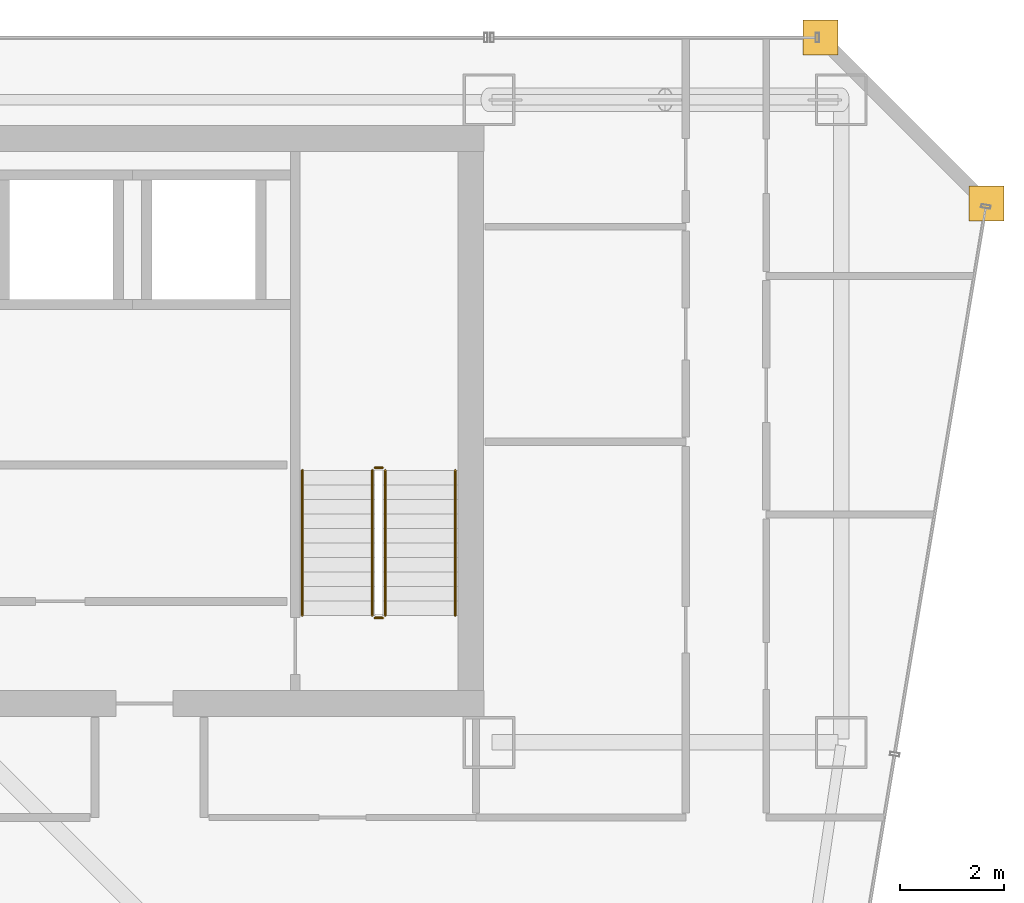
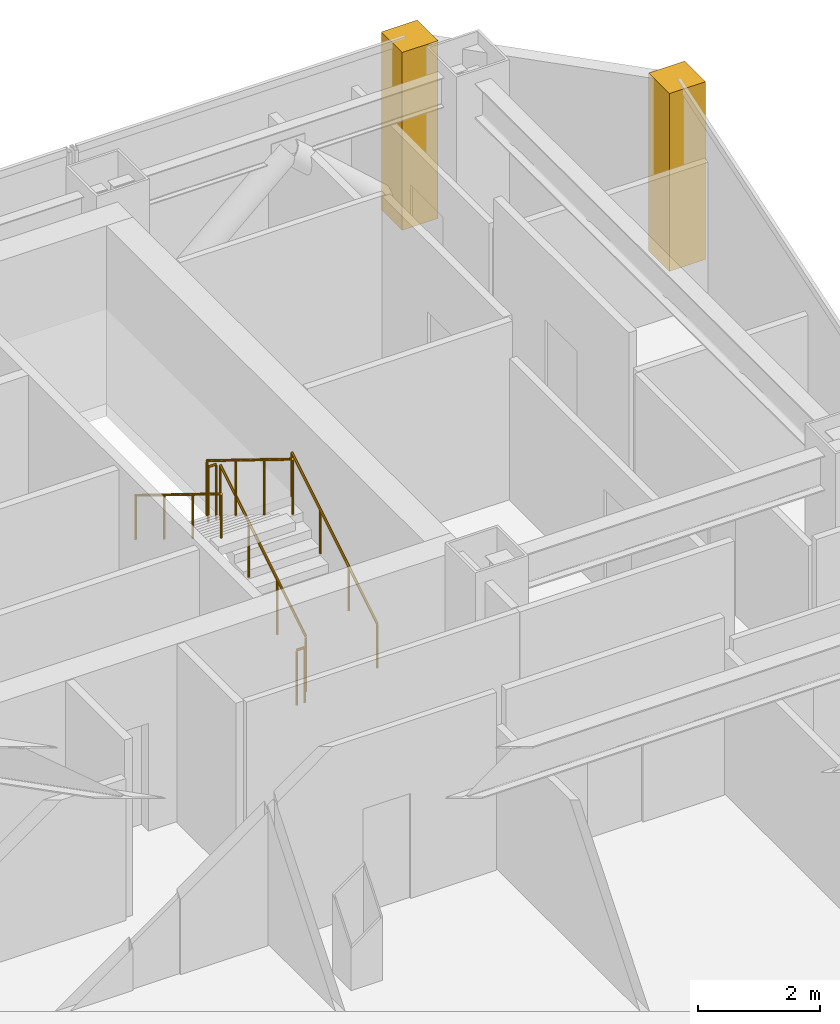
# One storey, part 36 of 36: 6 railings, 2 coverings.
"""IFC4 building model written with IfcOpenShell, lengths in metres."""

from ifc_helpers import new_model, si_unit, direction, frame, origin, origin_2d, place, context, subcontext, project, spatial, polyline, circle, outline, extrude, material, layer, layer_set, type_object, element, save


model = new_model("IFC4")

# Units and contexts
model_context = context("Model", 3, precision=1e-05, world=origin(), true_north=direction((0.0, 1.0)))
body_context = subcontext(model_context, "Body", "Model", "MODEL_VIEW")
ifc_project = project(units=[si_unit("LENGTHUNIT", "METRE"), si_unit("AREAUNIT", "SQUARE_METRE"), si_unit("VOLUMEUNIT", "CUBIC_METRE"), si_unit("PLANEANGLEUNIT", "RADIAN"), si_unit("MASSUNIT", "GRAM", prefix="KILO")], contexts=[model_context])

# Site, building, storey
site_placement = place(None, origin())
site = spatial("IfcSite", under=ifc_project, at=site_placement, CompositionType="ELEMENT")
building_placement = place(site_placement, origin())
building = spatial("IfcBuilding", under=site, at=building_placement, Name="Saevonmaru Cultural Tower", CompositionType="ELEMENT")
storey_placement = place(building_placement, frame((0.0, 0.0, 148.60009765625)))
storey = spatial("IfcBuildingStorey", under=building, at=storey_placement, Name="L32", CompositionType="ELEMENT", Elevation=148.60009765625)

# Coverings
ifc_material_1 = material(Name="Satin Bronze Anodised Aluminium", Category="aluminium")
ifc_layer = layer(ifc_material_1, 0.679931640625, Name="Satin Bronze Anodised Aluminium")
ifc_layer_set = layer_set([ifc_layer], Name="Satin Bronze Anodised Aluminium")
covering_type = type_object("IfcCoveringType", Name="CV-CORNER-CLAD", PredefinedType="CLADDING", material=ifc_layer_set)
covering_1_placement = place(storey_placement, origin())
element("IfcCovering", 1, at=covering_1_placement, inside=storey, type_object=covering_type, Name="L32 Tower Bronze Corner Cladding Pier 9", PredefinedType="CLADDING", context=body_context, shape_type="SweptSolid", body=[
    extrude(outline(polyline([(55.659912109375, 52.4599609375), (56.340087890625, 52.4599609375), (56.340087890625, 53.139892578125), (55.659912109375, 53.139892578125), (55.659912109375, 52.4599609375)])), origin(), (0.0, 0.0, 1.0), 3.5498046875),
])
covering_2_placement = place(storey_placement, origin())
element("IfcCovering", 2, at=covering_2_placement, inside=storey, type_object=covering_type, Name="L32 Tower Bronze Corner Cladding Pier 10", PredefinedType="CLADDING", context=body_context, shape_type="SweptSolid", body=[
    extrude(outline(polyline([(52.4599609375, 55.659912109375), (53.139892578125, 55.659912109375), (53.139892578125, 56.340087890625), (52.4599609375, 56.340087890625), (52.4599609375, 55.659912109375)])), origin(), (0.0, 0.0, 1.0), 3.5498046875),
])

# Railings
ifc_material_2 = material(Name="Architectural Painted Steel", Category="steel")
railing_type_1 = type_object("IfcRailingType", Name="RL-STAIR-GUARD", PredefinedType="GUARDRAIL", material=ifc_material_2)
railing_1_placement = place(storey_placement, frame((44.39990234375, 44.85009765625, 0.172607421875)))
element("IfcRailing", 3, at=railing_1_placement, inside=storey, type_object=railing_type_1, Name="L32 ST-2 stair guard 1", PredefinedType="GUARDRAIL", context=body_context, shape_type="SweptSolid", body=[
    extrude(circle(Radius=0.02392578125, at=origin_2d()), frame((0.0, 0.0, 1.09619140625), z_axis=(0.0, 0.851069175582, 0.525053576669), x_axis=(-1.0, 0.0, 0.0)), (0.0, 0.0, 1.0), 3.289794921875),
    extrude(circle(Radius=0.02099609375, at=origin_2d()), origin(), (0.0, 0.0, 1.0), 1.072021484375),
    extrude(circle(Radius=0.02099609375, at=origin_2d()), frame((0.0, 0.933349609375, 0.57568359375)), (0.0, 0.0, 1.0), 1.072021484375),
    extrude(circle(Radius=0.02099609375, at=origin_2d()), frame((0.0, 1.866455078125, 1.151611328125)), (0.0, 0.0, 1.0), 1.072021484375),
    extrude(circle(Radius=0.02099609375, at=origin_2d()), frame((0.0, 2.7998046875, 1.727294921875)), (0.0, 0.0, 1.0), 1.072021484375),
])
railing_2_placement = place(storey_placement, frame((44.35009765625, 47.699951171875, 1.89990234375)))
element("IfcRailing", 4, at=railing_2_placement, inside=storey, type_object=railing_type_1, Name="L32 ST-2 stair guard 2", PredefinedType="GUARDRAIL", context=body_context, shape_type="SweptSolid", body=[
    extrude(circle(Radius=0.02392578125, at=origin_2d()), frame((0.0, 0.0, 1.09619140625), z_axis=(-1.0, 0.0, 0.0), x_axis=(0.0, -1.0, 0.0)), (0.0, 0.0, 1.0), 0.150146484375),
    extrude(circle(Radius=0.02099609375, at=origin_2d()), origin(), (0.0, 0.0, 1.0), 1.072021484375),
    extrude(circle(Radius=0.02099609375, at=origin_2d()), frame((-0.150146484375, 0.0, 0.0)), (0.0, 0.0, 1.0), 1.072021484375),
])
railing_3_placement = place(storey_placement, frame((44.14990234375, 47.64990234375, 2.072509765625)))
element("IfcRailing", 5, at=railing_3_placement, inside=storey, type_object=railing_type_1, Name="L32 ST-2 stair guard 3", PredefinedType="GUARDRAIL", context=body_context, shape_type="SweptSolid", body=[
    extrude(circle(Radius=0.02392578125, at=origin_2d()), frame((0.0, 0.0, 1.09619140625), z_axis=(0.0, -0.851069175582, 0.525053576669), x_axis=(1.0, 0.0, 0.0)), (0.0, 0.0, 1.0), 3.289794921875),
    extrude(circle(Radius=0.02099609375, at=origin_2d()), origin(), (0.0, 0.0, 1.0), 1.072021484375),
    extrude(circle(Radius=0.02099609375, at=origin_2d()), frame((0.0, -0.933349609375, 0.57568359375)), (0.0, 0.0, 1.0), 1.072021484375),
    extrude(circle(Radius=0.02099609375, at=origin_2d()), frame((0.0, -1.866455078125, 1.151611328125)), (0.0, 0.0, 1.0), 1.072021484375),
    extrude(circle(Radius=0.02099609375, at=origin_2d()), frame((0.0, -2.7998046875, 1.727294921875)), (0.0, 0.0, 1.0), 1.072021484375),
])
railing_4_placement = place(storey_placement, frame((44.35009765625, 44.800048828125, 0.0)))
element("IfcRailing", 6, at=railing_4_placement, inside=storey, type_object=railing_type_1, Name="L32 ST-2 stair guard 4", PredefinedType="GUARDRAIL", context=body_context, shape_type="SweptSolid", body=[
    extrude(circle(Radius=0.02392578125, at=origin_2d()), frame((0.0, 0.0, 1.09619140625), z_axis=(-1.0, 0.0, 0.0), x_axis=(0.0, -1.0, 0.0)), (0.0, 0.0, 1.0), 0.150146484375),
    extrude(circle(Radius=0.02099609375, at=origin_2d()), origin(), (0.0, 0.0, 1.0), 1.072021484375),
    extrude(circle(Radius=0.02099609375, at=origin_2d()), frame((-0.150146484375, 0.0, 0.0)), (0.0, 0.0, 1.0), 1.072021484375),
])
railing_type_2 = type_object("IfcRailingType", Name="RL-STAIR-HANDRAIL", PredefinedType="HANDRAIL", material=ifc_material_1)
railing_5_placement = place(storey_placement, frame((45.75, 44.85009765625, 0.172607421875)))
element("IfcRailing", 7, at=railing_5_placement, inside=storey, type_object=railing_type_2, Name="L32 ST-2 stair handrail 1", PredefinedType="HANDRAIL", context=body_context, shape_type="SweptSolid", body=[
    extrude(circle(Radius=0.02392578125, at=origin_2d()), frame((0.0, 0.0, 0.8759765625), z_axis=(0.0, 0.851069175582, 0.525053576669), x_axis=(-1.0, 0.0, 0.0)), (0.0, 0.0, 1.0), 3.289794921875),
    extrude(circle(Radius=0.02099609375, at=origin_2d()), origin(), (0.0, 0.0, 1.0), 0.851806640625),
    extrude(circle(Radius=0.02099609375, at=origin_2d()), frame((0.0, 0.933349609375, 0.57568359375)), (0.0, 0.0, 1.0), 0.851806640625),
    extrude(circle(Radius=0.02099609375, at=origin_2d()), frame((0.0, 1.866455078125, 1.151611328125)), (0.0, 0.0, 1.0), 0.851806640625),
    extrude(circle(Radius=0.02099609375, at=origin_2d()), frame((0.0, 2.7998046875, 1.727294921875)), (0.0, 0.0, 1.0), 0.851806640625),
])
railing_6_placement = place(storey_placement, frame((42.800048828125, 47.64990234375, 2.072509765625)))
element("IfcRailing", 8, at=railing_6_placement, inside=storey, type_object=railing_type_2, Name="L32 ST-2 stair handrail 2", PredefinedType="HANDRAIL", context=body_context, shape_type="SweptSolid", body=[
    extrude(circle(Radius=0.02392578125, at=origin_2d()), frame((0.0, 0.0, 0.8759765625), z_axis=(0.0, -0.851069175582, 0.525053576669), x_axis=(1.0, 0.0, 0.0)), (0.0, 0.0, 1.0), 3.289794921875),
    extrude(circle(Radius=0.02099609375, at=origin_2d()), origin(), (0.0, 0.0, 1.0), 0.851806640625),
    extrude(circle(Radius=0.02099609375, at=origin_2d()), frame((0.0, -0.933349609375, 0.57568359375)), (0.0, 0.0, 1.0), 0.851806640625),
    extrude(circle(Radius=0.02099609375, at=origin_2d()), frame((0.0, -1.866455078125, 1.151611328125)), (0.0, 0.0, 1.0), 0.851806640625),
    extrude(circle(Radius=0.02099609375, at=origin_2d()), frame((0.0, -2.7998046875, 1.727294921875)), (0.0, 0.0, 1.0), 0.851806640625),
])

save(model, "model.ifc")
